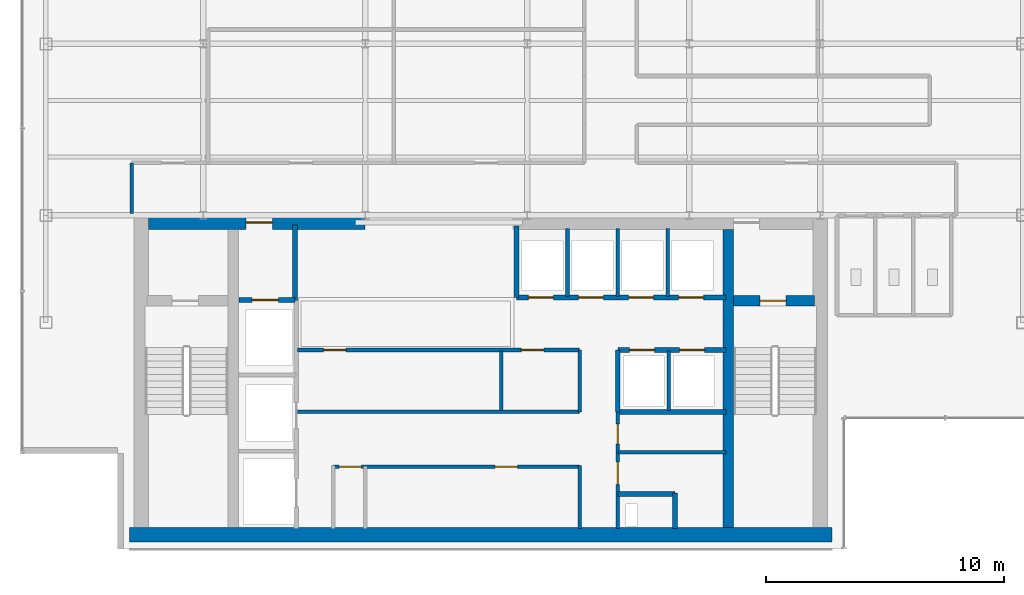
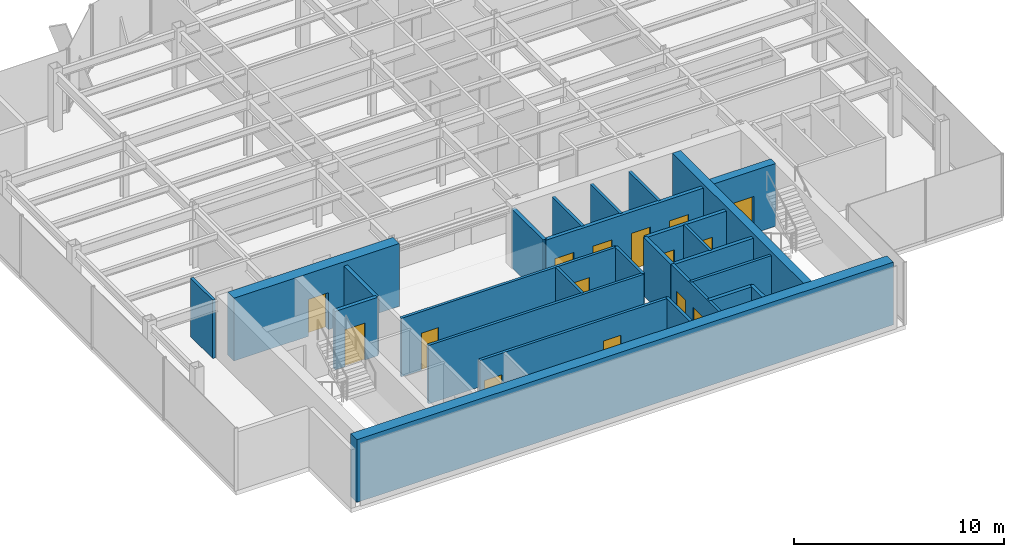
# One storey, part 17 of 22: 26 walls, 15 doors, 15 openings.
"""IFC4 building model written with IfcOpenShell, lengths in metres."""

from ifc_helpers import new_model, si_unit, derived_unit, direction, frame, frame_2d, origin, place, context, subcontext, project, spatial, rectangle, extrude, source, transform, mapped, material, layer, layer_set, type_object, element, fill, save


model = new_model("IFC4")

# Units and contexts
model_context = context("Model", 3, precision=1e-05, world=origin(), true_north=direction((0.0, 1.0)))
body_context = subcontext(model_context, "Body", "Model", "MODEL_VIEW")
ifc_project = project(units=[si_unit("LENGTHUNIT", "METRE"), si_unit("AREAUNIT", "SQUARE_METRE"), si_unit("VOLUMEUNIT", "CUBIC_METRE"), si_unit("PLANEANGLEUNIT", "RADIAN"), si_unit("MASSUNIT", "GRAM", prefix="KILO"), derived_unit("THERMALTRANSMITTANCEUNIT", [(si_unit("POWERUNIT", "WATT"), 1), (si_unit("LENGTHUNIT", "METRE"), -2), (si_unit("THERMODYNAMICTEMPERATUREUNIT", "KELVIN"), -1)])], contexts=[model_context])

# Site, building, storey
site_placement = place(None, origin())
site = spatial("IfcSite", under=ifc_project, at=site_placement, CompositionType="ELEMENT")
building_placement = place(site_placement, origin())
building = spatial("IfcBuilding", under=site, at=building_placement, Name="Skarnbrae Concourse Arena and Tower", CompositionType="ELEMENT")
storey_placement = place(building_placement, frame((0.0, 0.0, 195.89990234375)))
storey = spatial("IfcBuildingStorey", under=building, at=storey_placement, Name="L50", CompositionType="ELEMENT", Elevation=195.89990234375)

# Wall, opening, door
ifc_material_1 = material(Name="Concrete 50 MPa (C50/60)", Category="concrete")
ifc_layer_1 = layer(ifc_material_1, 0.449951171875)
ifc_layer_set_1 = layer_set([ifc_layer_1], Name="Concrete 50 MPa (C50/60)")
wall_type_1 = type_object("IfcWallType", Name="WALL-CORE-450-C50", PredefinedType="SHEAR", material=ifc_layer_set_1)
shared_shape_1 = source(origin(), body_context, "Body", "SweptSolid", [
    extrude(rectangle(XDim=3.389892578125, YDim=0.449951171875, at=frame_2d((1.69482421875, 0.0))), origin(), (0.0, 0.0, 1.0), 3.650146484375),
])
wall_1_placement = place(storey_placement, frame((29.860107421875, 10.419921875, 0.0), z_axis=(0.0, 0.0, 1.0), x_axis=(1.0, 0.0, 0.0)))
wall_1 = element("IfcWall", 1, at=wall_1_placement, inside=storey, type_object=wall_type_1, Name="L50 Rear core shear wall CW-ST2-N", PredefinedType="SHEAR", context=body_context, shape_type="MappedRepresentation", body=[
    mapped(shared_shape_1, transform((0.0, 0.0, 0.0))),
])
opening_1_placement = place(wall_1_placement, frame((1.10009765625, 0.0, 0.0)))
opening_1 = element("IfcOpeningElement", 2, at=opening_1_placement, cuts=wall_1, Name="Opening DT-03", PredefinedType="OPENING", context=body_context, shape_type="SweptSolid", body=[
    extrude(rectangle(XDim=1.10009765625, YDim=2.14990234375, at=frame_2d((0.550048828125, 1.074951171875))), frame((0.0, 0.23486328125, 0.0), z_axis=(0.0, -1.0, 0.0), x_axis=(1.0, 0.0, 0.0)), (0.0, 0.0, 1.0), 0.469970703125),
])
ifc_material_2 = material(Name="Steel CSA G40.21 350W", Category="steel")
door_type_1 = type_object("IfcDoorType", Name="DOOR-FIRE-1100-90M", OperationType="NOTDEFINED", PredefinedType="DOOR", material=ifc_material_2)
shared_shape_2 = source(origin(), body_context, "Body", "SweptSolid", [
    extrude(rectangle(XDim=1.10009765625, YDim=2.14990234375, at=frame_2d((0.550048828125, 1.074951171875))), frame((0.0, 0.02490234375, 0.0), z_axis=(0.0, -1.0, 0.0), x_axis=(1.0, 0.0, 0.0)), (0.0, 0.0, 1.0), 0.050048828125),
])
door_1_placement = place(opening_1_placement, frame((1.10009765625, 0.0, 0.0), z_axis=(0.0, 0.0, 1.0), x_axis=(-1.0, 0.0, 0.0)))
door_1 = element("IfcDoor", 3, at=door_1_placement, inside=storey, type_object=door_type_1, Name="D-1526 Stair ST-2 Door", OperationType="SINGLE_SWING_RIGHT", OverallHeight=2.14990234375, OverallWidth=1.10009765625, PredefinedType="DOOR", context=body_context, shape_type="MappedRepresentation", body=[
    mapped(shared_shape_2, transform((0.0, 0.0, 0.0))),
])
fill(opening_1, door_1)

# Wall
ifc_layer_2 = layer(ifc_material_1, 0.60009765625)
ifc_layer_set_2 = layer_set([ifc_layer_2], Name="Concrete 50 MPa (C50/60)")
wall_type_2 = type_object("IfcWallType", Name="WALL-CORE-600-C50", PredefinedType="SHEAR", material=ifc_layer_set_2)
shared_shape_3 = source(origin(), body_context, "Body", "SweptSolid", [
    extrude(rectangle(XDim=29.5, YDim=0.60009765625, at=frame_2d((14.75, 0.0))), origin(), (0.0, 0.0, 1.0), 3.650146484375),
])
wall_2_placement = place(storey_placement, frame((4.5, 0.60009765625, 0.0), z_axis=(0.0, 0.0, 1.0), x_axis=(1.0, 0.0, 0.0)))
element("IfcWall", 4, at=wall_2_placement, inside=storey, type_object=wall_type_2, Name="L50 Rear core shear wall CW-S", PredefinedType="SHEAR", context=body_context, shape_type="MappedRepresentation", body=[
    mapped(shared_shape_3, transform((0.0, 0.0, 0.0))),
])

# Wall, opening, door
shared_shape_4 = source(origin(), body_context, "Body", "SweptSolid", [
    extrude(rectangle(XDim=9.099853515625, YDim=0.60009765625, at=frame_2d((4.5498046875, 0.0))), origin(), (0.0, 0.0, 1.0), 3.650146484375),
])
wall_3_placement = place(storey_placement, frame((5.300048828125, 13.699951171875, 0.0), z_axis=(0.0, 0.0, 1.0), x_axis=(1.0, 0.0, 0.0)))
wall_3 = element("IfcWall", 5, at=wall_3_placement, inside=storey, type_object=wall_type_2, Name="L50 Rear core shear wall CW-NW", PredefinedType="SHEAR", context=body_context, shape_type="MappedRepresentation", body=[
    mapped(shared_shape_4, transform((0.0, 0.0, 0.0))),
])
opening_2_placement = place(wall_3_placement, frame((4.10009765625, 0.0, 0.0)))
opening_2 = element("IfcOpeningElement", 6, at=opening_2_placement, cuts=wall_3, Name="Opening DT-03", PredefinedType="OPENING", context=body_context, shape_type="SweptSolid", body=[
    extrude(rectangle(XDim=1.10009765625, YDim=2.14990234375, at=frame_2d((0.550048828125, 1.074951171875))), frame((0.0, 0.31005859375, 0.0), z_axis=(0.0, -1.0, 0.0), x_axis=(1.0, 0.0, 0.0)), (0.0, 0.0, 1.0), 0.6201171875),
])
door_2_placement = place(opening_2_placement, origin())
door_2 = element("IfcDoor", 7, at=door_2_placement, inside=storey, type_object=door_type_1, Name="D-1527 Firefighting Lobby Exit Door", OperationType="SINGLE_SWING_RIGHT", OverallHeight=2.14990234375, OverallWidth=1.10009765625, PredefinedType="DOOR", context=body_context, shape_type="MappedRepresentation", body=[
    mapped(shared_shape_2, transform((0.0, 0.0, 0.0))),
])
fill(opening_2, door_2)

# Walls
shared_shape_5 = source(origin(), body_context, "Body", "SweptSolid", [
    extrude(rectangle(XDim=12.5, YDim=0.449951171875, at=frame_2d((6.25, 0.0))), origin(), (0.0, 0.0, 1.0), 3.650146484375),
])
wall_4_placement = place(storey_placement, frame((29.635009765625, 0.89990234375, 0.0), z_axis=(0.0, 0.0, 1.0), x_axis=(0.0, 1.0, 0.0)))
element("IfcWall", 8, at=wall_4_placement, inside=storey, type_object=wall_type_1, Name="L50 Rear core shear wall CW-WEB-E", PredefinedType="SHEAR", context=body_context, shape_type="MappedRepresentation", body=[
    mapped(shared_shape_5, transform((0.0, 0.0, 0.0))),
])
ifc_material_3 = material(Name="Gypsum board on cold-formed steel studs", Category="steel")
ifc_layer_3 = layer(ifc_material_3, 0.199951171875)
ifc_layer_set_3 = layer_set([ifc_layer_3], Name="Gypsum board on cold-formed steel studs")
wall_type_3 = type_object("IfcWallType", Name="WALL-PART-200-2HR", PredefinedType="PARTITIONING", material=ifc_layer_set_3)
shared_shape_6 = source(origin(), body_context, "Body", "SweptSolid", [
    extrude(rectangle(XDim=3.18017578125, YDim=0.199951171875, at=frame_2d((1.590087890625, 0.0))), origin(), (0.0, 0.0, 1.0), 3.400146484375),
])
wall_5_placement = place(storey_placement, frame((11.449951171875, 10.419921875, 0.0), z_axis=(0.0, 0.0, 1.0), x_axis=(0.0, 1.0, 0.0)))
element("IfcWall", 9, at=wall_5_placement, inside=storey, type_object=wall_type_3, Name="L50 Interior partition wall W-L50-FFL-E", PredefinedType="PARTITIONING", context=body_context, shape_type="MappedRepresentation", body=[
    mapped(shared_shape_6, transform((0.0, 0.0, 0.0))),
])

# Wall, opening, door
shared_shape_7 = source(origin(), body_context, "Body", "SweptSolid", [
    extrude(rectangle(XDim=2.349853515625, YDim=0.199951171875, at=frame_2d((1.1748046875, 0.0))), origin(), (0.0, 0.0, 1.0), 3.400146484375),
])
wall_6_placement = place(storey_placement, frame((9.10009765625, 10.449951171875, 0.0), z_axis=(0.0, 0.0, 1.0), x_axis=(1.0, 0.0, 0.0)))
wall_6 = element("IfcWall", 10, at=wall_6_placement, inside=storey, type_object=wall_type_3, Name="L50 Interior partition wall W-L50-FL1-N", PredefinedType="PARTITIONING", context=body_context, shape_type="MappedRepresentation", body=[
    mapped(shared_shape_7, transform((0.0, 0.0, 0.0))),
])
opening_3_placement = place(wall_6_placement, frame((0.550048828125, 0.0, 0.0)))
opening_3 = element("IfcOpeningElement", 11, at=opening_3_placement, cuts=wall_6, Name="Opening LD-01", PredefinedType="OPENING", context=body_context, shape_type="SweptSolid", body=[
    extrude(rectangle(XDim=1.10009765625, YDim=2.14990234375, at=frame_2d((0.550048828125, 1.074951171875))), frame((0.0, 0.10986328125, 0.0), z_axis=(0.0, -1.0, 0.0), x_axis=(1.0, 0.0, 0.0)), (0.0, 0.0, 1.0), 0.219970703125),
])
door_type_2 = type_object("IfcDoorType", Name="DOOR-LIFT-SLIDE-1100", OperationType="SLIDING_TO_LEFT", PredefinedType="DOOR", material=ifc_material_2)
door_3_placement = place(opening_3_placement, origin())
door_3 = element("IfcDoor", 12, at=door_3_placement, inside=storey, type_object=door_type_2, Name="D-1529 Firefighting Lift Landing Door FL-01", OperationType="SLIDING_TO_LEFT", OverallHeight=2.14990234375, OverallWidth=1.10009765625, PredefinedType="DOOR", context=body_context, shape_type="MappedRepresentation", body=[
    mapped(shared_shape_2, transform((0.0, 0.0, 0.0))),
])
fill(opening_3, door_3)

# Walls
shared_shape_8 = source(origin(), body_context, "Body", "SweptSolid", [
    extrude(rectangle(XDim=2.60009765625, YDim=0.199951171875, at=frame_2d((1.300048828125, 0.0))), origin(), (0.0, 0.0, 1.0), 3.400146484375),
])
wall_7_placement = place(storey_placement, frame((25.0, 5.75, 0.0), z_axis=(0.0, 0.0, 1.0), x_axis=(0.0, 1.0, 0.0)))
element("IfcWall", 13, at=wall_7_placement, inside=storey, type_object=wall_type_3, Name="L50 Interior partition wall W-L50-B3S-W", PredefinedType="PARTITIONING", context=body_context, shape_type="MappedRepresentation", body=[
    mapped(shared_shape_8, transform((0.0, 0.0, 0.0))),
])
ifc_layer_4 = layer(ifc_material_3, 0.14990234375)
ifc_layer_set_4 = layer_set([ifc_layer_4], Name="Gypsum board on cold-formed steel studs")
wall_type_4 = type_object("IfcWallType", Name="WALL-PART-150", PredefinedType="PARTITIONING", material=ifc_layer_set_4)
shared_shape_9 = source(origin(), body_context, "Body", "SweptSolid", [
    extrude(rectangle(XDim=2.5, YDim=0.14990234375, at=frame_2d((1.25, 0.0))), origin(), (0.0, 0.0, 1.0), 3.400146484375),
])
for number, where, z_axis, x_axis, name in (
    (14, (20.10009765625, 5.800048828125, 0.0), (0.0, 0.0, 1.0), (0.0, 1.0, 0.0), "L50 Interior partition wall W-L50-B2M-MID"),
    (15, (27.139892578125, 5.800048828125, 0.0), (0.0, 0.0, 1.0), (0.0, 1.0, 0.0), "L50 Interior partition wall W-L50-B3S-P1"),
):
    element("IfcWall", number, at=place(storey_placement, frame(where, z_axis=z_axis, x_axis=x_axis)), inside=storey, type_object=wall_type_4, Name=name, PredefinedType="PARTITIONING", context=body_context, shape_type="MappedRepresentation", body=[
        mapped(shared_shape_9, transform((0.0, 0.0, 0.0))),
    ])

# Wall, openings, doors
shared_shape_10 = source(origin(), body_context, "Body", "SweptSolid", [
    extrude(rectangle(XDim=8.800048828125, YDim=0.199951171875, at=frame_2d((4.39990234375, 0.0))), origin(), (0.0, 0.0, 1.0), 3.400146484375),
])
wall_8_placement = place(storey_placement, frame((20.75, 10.550048828125, 0.0), z_axis=(0.0, 0.0, 1.0), x_axis=(1.0, 0.0, 0.0)))
wall_8 = element("IfcWall", 16, at=wall_8_placement, inside=storey, type_object=wall_type_3, Name="L50 Interior partition wall W-L50-B3N-S", PredefinedType="PARTITIONING", context=body_context, shape_type="MappedRepresentation", body=[
    mapped(shared_shape_10, transform((0.0, 0.0, 0.0))),
])
opening_4_placement = place(wall_8_placement, frame((0.5, 0.0, 0.0)))
opening_4 = element("IfcOpeningElement", 17, at=opening_4_placement, cuts=wall_8, Name="Opening LD-04", PredefinedType="OPENING", context=body_context, shape_type="SweptSolid", body=[
    extrude(rectangle(XDim=1.050048828125, YDim=2.14990234375, at=frame_2d((0.52490234375, 1.074951171875))), frame((0.0, 0.10986328125, 0.0), z_axis=(0.0, -1.0, 0.0), x_axis=(1.0, 0.0, 0.0)), (0.0, 0.0, 1.0), 0.219970703125),
])
opening_5_placement = place(wall_8_placement, frame((2.60009765625, 0.0, 0.0)))
opening_5 = element("IfcOpeningElement", 18, at=opening_5_placement, cuts=wall_8, Name="Opening LD-04", PredefinedType="OPENING", context=body_context, shape_type="SweptSolid", body=[
    extrude(rectangle(XDim=1.050048828125, YDim=2.14990234375, at=frame_2d((0.52490234375, 1.074951171875))), frame((0.0, 0.10986328125, 0.0), z_axis=(0.0, -1.0, 0.0), x_axis=(1.0, 0.0, 0.0)), (0.0, 0.0, 1.0), 0.219970703125),
])
opening_6_placement = place(wall_8_placement, frame((4.699951171875, 0.0, 0.0)))
opening_6 = element("IfcOpeningElement", 19, at=opening_6_placement, cuts=wall_8, Name="Opening LD-04", PredefinedType="OPENING", context=body_context, shape_type="SweptSolid", body=[
    extrude(rectangle(XDim=1.050048828125, YDim=2.14990234375, at=frame_2d((0.52490234375, 1.074951171875))), frame((0.0, 0.10986328125, 0.0), z_axis=(0.0, -1.0, 0.0), x_axis=(1.0, 0.0, 0.0)), (0.0, 0.0, 1.0), 0.219970703125),
])
opening_7_placement = place(wall_8_placement, frame((6.800048828125, 0.0, 0.0)))
opening_7 = element("IfcOpeningElement", 20, at=opening_7_placement, cuts=wall_8, Name="Opening LD-04", PredefinedType="OPENING", context=body_context, shape_type="SweptSolid", body=[
    extrude(rectangle(XDim=1.050048828125, YDim=2.14990234375, at=frame_2d((0.52490234375, 1.074951171875))), frame((0.0, 0.10986328125, 0.0), z_axis=(0.0, -1.0, 0.0), x_axis=(1.0, 0.0, 0.0)), (0.0, 0.0, 1.0), 0.219970703125),
])
ifc_material_4 = material(Name="Bronze anodised aluminium 6063-T6", Category="aluminium")
door_type_3 = type_object("IfcDoorType", Name="DOOR-LIFT-SLIDE-1050H", OperationType="SLIDING_TO_LEFT", PredefinedType="DOOR", material=ifc_material_4)
shared_shape_11 = source(origin(), body_context, "Body", "SweptSolid", [
    extrude(rectangle(XDim=1.050048828125, YDim=2.14990234375, at=frame_2d((0.52490234375, 1.074951171875))), frame((0.0, 0.02490234375, 0.0), z_axis=(0.0, -1.0, 0.0), x_axis=(1.0, 0.0, 0.0)), (0.0, 0.0, 1.0), 0.050048828125),
])
door_4_placement = place(opening_4_placement, frame((1.050048828125, 0.0, 0.0), z_axis=(0.0, 0.0, 1.0), x_axis=(-1.0, 0.0, 0.0)))
door_4 = element("IfcDoor", 21, at=door_4_placement, inside=storey, type_object=door_type_3, Name="D-1536 Passenger Lift Landing Door PL-3A", OperationType="SLIDING_TO_LEFT", OverallHeight=2.14990234375, OverallWidth=1.050048828125, PredefinedType="DOOR", context=body_context, shape_type="MappedRepresentation", body=[
    mapped(shared_shape_11, transform((0.0, 0.0, 0.0))),
])
fill(opening_4, door_4)
door_5_placement = place(opening_5_placement, frame((1.050048828125, 0.0, 0.0), z_axis=(0.0, 0.0, 1.0), x_axis=(-1.0, 0.0, 0.0)))
door_5 = element("IfcDoor", 22, at=door_5_placement, inside=storey, type_object=door_type_3, Name="D-1537 Passenger Lift Landing Door PL-3B", OperationType="SLIDING_TO_LEFT", OverallHeight=2.14990234375, OverallWidth=1.050048828125, PredefinedType="DOOR", context=body_context, shape_type="MappedRepresentation", body=[
    mapped(shared_shape_11, transform((0.0, 0.0, 0.0))),
])
fill(opening_5, door_5)
door_6_placement = place(opening_6_placement, frame((1.050048828125, 0.0, 0.0), z_axis=(0.0, 0.0, 1.0), x_axis=(-1.0, 0.0, 0.0)))
door_6 = element("IfcDoor", 23, at=door_6_placement, inside=storey, type_object=door_type_3, Name="D-1538 Passenger Lift Landing Door PL-3C", OperationType="SLIDING_TO_LEFT", OverallHeight=2.14990234375, OverallWidth=1.050048828125, PredefinedType="DOOR", context=body_context, shape_type="MappedRepresentation", body=[
    mapped(shared_shape_11, transform((0.0, 0.0, 0.0))),
])
fill(opening_6, door_6)
door_7_placement = place(opening_7_placement, frame((1.050048828125, 0.0, 0.0), z_axis=(0.0, 0.0, 1.0), x_axis=(-1.0, 0.0, 0.0)))
door_7 = element("IfcDoor", 24, at=door_7_placement, inside=storey, type_object=door_type_3, Name="D-1539 Passenger Lift Landing Door PL-3D", OperationType="SLIDING_TO_LEFT", OverallHeight=2.14990234375, OverallWidth=1.050048828125, PredefinedType="DOOR", context=body_context, shape_type="MappedRepresentation", body=[
    mapped(shared_shape_11, transform((0.0, 0.0, 0.0))),
])
fill(opening_7, door_7)

# Walls
shared_shape_12 = source(origin(), body_context, "Body", "SweptSolid", [
    extrude(rectangle(XDim=3.0, YDim=0.199951171875, at=frame_2d((1.5, 0.0))), origin(), (0.0, 0.0, 1.0), 3.400146484375),
])
wall_9_placement = place(storey_placement, frame((20.75, 10.550048828125, 0.0), z_axis=(0.0, 0.0, 1.0), x_axis=(0.0, 1.0, 0.0)))
element("IfcWall", 25, at=wall_9_placement, inside=storey, type_object=wall_type_3, Name="L50 Interior partition wall W-L50-B3N-W", PredefinedType="PARTITIONING", context=body_context, shape_type="MappedRepresentation", body=[
    mapped(shared_shape_12, transform((0.0, 0.0, 0.0))),
])
shared_shape_13 = source(origin(), body_context, "Body", "SweptSolid", [
    extrude(rectangle(XDim=2.849853515625, YDim=0.14990234375, at=frame_2d((1.4248046875, 0.0))), origin(), (0.0, 0.0, 1.0), 3.400146484375),
])
for number, where, z_axis, x_axis, name in (
    (26, (22.889892578125, 10.60009765625, 0.0), (0.0, 0.0, 1.0), (0.0, 1.0, 0.0), "L50 Interior partition wall W-L50-B3N-P1"),
    (27, (24.989990234375, 10.60009765625, 0.0), (0.0, 0.0, 1.0), (0.0, 1.0, 0.0), "L50 Interior partition wall W-L50-B3N-P2"),
    (28, (27.090087890625, 10.60009765625, 0.0), (0.0, 0.0, 1.0), (0.0, 1.0, 0.0), "L50 Interior partition wall W-L50-B3N-P3"),
):
    element("IfcWall", number, at=place(storey_placement, frame(where, z_axis=z_axis, x_axis=x_axis)), inside=storey, type_object=wall_type_4, Name=name, PredefinedType="PARTITIONING", context=body_context, shape_type="MappedRepresentation", body=[
        mapped(shared_shape_13, transform((0.0, 0.0, 0.0))),
    ])

# Wall, openings, doors
shared_shape_14 = source(origin(), body_context, "Body", "SweptSolid", [
    extrude(rectangle(XDim=4.550048828125, YDim=0.199951171875, at=frame_2d((2.27490234375, 0.0))), origin(), (0.0, 0.0, 1.0), 3.400146484375),
])
wall_10_placement = place(storey_placement, frame((25.0, 8.35009765625, 0.0), z_axis=(0.0, 0.0, 1.0), x_axis=(1.0, 0.0, 0.0)))
wall_10 = element("IfcWall", 29, at=wall_10_placement, inside=storey, type_object=wall_type_3, Name="L50 Interior partition wall W-L50-B3S-N", PredefinedType="PARTITIONING", context=body_context, shape_type="MappedRepresentation", body=[
    mapped(shared_shape_14, transform((0.0, 0.0, 0.0))),
])
opening_8_placement = place(wall_10_placement, frame((0.5, 0.0, 0.0)))
opening_8 = element("IfcOpeningElement", 30, at=opening_8_placement, cuts=wall_10, Name="Opening LD-04", PredefinedType="OPENING", context=body_context, shape_type="SweptSolid", body=[
    extrude(rectangle(XDim=1.050048828125, YDim=2.14990234375, at=frame_2d((0.52490234375, 1.074951171875))), frame((0.0, 0.10986328125, 0.0), z_axis=(0.0, -1.0, 0.0), x_axis=(1.0, 0.0, 0.0)), (0.0, 0.0, 1.0), 0.219970703125),
])
opening_9_placement = place(wall_10_placement, frame((2.60009765625, 0.0, 0.0)))
opening_9 = element("IfcOpeningElement", 31, at=opening_9_placement, cuts=wall_10, Name="Opening LD-04", PredefinedType="OPENING", context=body_context, shape_type="SweptSolid", body=[
    extrude(rectangle(XDim=1.050048828125, YDim=2.14990234375, at=frame_2d((0.52490234375, 1.074951171875))), frame((0.0, 0.10986328125, 0.0), z_axis=(0.0, -1.0, 0.0), x_axis=(1.0, 0.0, 0.0)), (0.0, 0.0, 1.0), 0.219970703125),
])
door_8_placement = place(opening_8_placement, origin())
door_8 = element("IfcDoor", 32, at=door_8_placement, inside=storey, type_object=door_type_3, Name="D-1540 Passenger Lift Landing Door PL-3E", OperationType="SLIDING_TO_LEFT", OverallHeight=2.14990234375, OverallWidth=1.050048828125, PredefinedType="DOOR", context=body_context, shape_type="MappedRepresentation", body=[
    mapped(shared_shape_11, transform((0.0, 0.0, 0.0))),
])
fill(opening_8, door_8)
door_9_placement = place(opening_9_placement, origin())
door_9 = element("IfcDoor", 33, at=door_9_placement, inside=storey, type_object=door_type_3, Name="D-1541 Passenger Lift Landing Door PL-3F", OperationType="SLIDING_TO_LEFT", OverallHeight=2.14990234375, OverallWidth=1.050048828125, PredefinedType="DOOR", context=body_context, shape_type="MappedRepresentation", body=[
    mapped(shared_shape_11, transform((0.0, 0.0, 0.0))),
])
fill(opening_9, door_9)

# Wall
wall_11_placement = place(storey_placement, frame((25.0, 5.75, 0.0), z_axis=(0.0, 0.0, 1.0), x_axis=(1.0, 0.0, 0.0)))
element("IfcWall", 34, at=wall_11_placement, inside=storey, type_object=wall_type_3, Name="L50 Interior partition wall W-L50-B3S-S", PredefinedType="PARTITIONING", context=body_context, shape_type="MappedRepresentation", body=[
    mapped(shared_shape_14, transform((0.0, 0.0, 0.0))),
])

# Wall, openings, doors
ifc_layer_5 = layer(ifc_material_3, 0.14990234375)
ifc_layer_set_5 = layer_set([ifc_layer_5], Name="Gypsum board on cold-formed steel studs")
wall_type_5 = type_object("IfcWallType", Name="WALL-PART-150-1HR", PredefinedType="PARTITIONING", material=ifc_layer_set_5)
shared_shape_15 = source(origin(), body_context, "Body", "SweptSolid", [
    extrude(rectangle(XDim=4.89990234375, YDim=0.14990234375, at=frame_2d((2.449951171875, 0.0))), origin(), (0.0, 0.0, 1.0), 3.400146484375),
])
wall_12_placement = place(storey_placement, frame((25.0, 0.85009765625, 0.0), z_axis=(0.0, 0.0, 1.0), x_axis=(0.0, 1.0, 0.0)))
wall_12 = element("IfcWall", 35, at=wall_12_placement, inside=storey, type_object=wall_type_5, Name="L50 Interior partition wall W-L50-CSV-W", PredefinedType="PARTITIONING", context=body_context, shape_type="MappedRepresentation", body=[
    mapped(shared_shape_15, transform((0.0, 0.0, 0.0))),
])
opening_10_placement = place(wall_12_placement, frame((1.85009765625, 0.0, 0.0)))
opening_10 = element("IfcOpeningElement", 36, at=opening_10_placement, cuts=wall_12, Name="Opening DT-04", PredefinedType="OPENING", context=body_context, shape_type="SweptSolid", body=[
    extrude(rectangle(XDim=0.949951171875, YDim=2.14990234375, at=frame_2d((0.47509765625, 1.074951171875))), frame((0.0, 0.0849609375, 0.0), z_axis=(0.0, -1.0, 0.0), x_axis=(1.0, 0.0, 0.0)), (0.0, 0.0, 1.0), 0.169921875),
])
opening_11_placement = place(wall_12_placement, frame((3.550048828125, 0.0, 0.0)))
opening_11 = element("IfcOpeningElement", 37, at=opening_11_placement, cuts=wall_12, Name="Opening DT-08", PredefinedType="OPENING", context=body_context, shape_type="SweptSolid", body=[
    extrude(rectangle(XDim=0.85009765625, YDim=2.14990234375, at=frame_2d((0.425048828125, 1.074951171875))), frame((0.0, 0.0849609375, 0.0), z_axis=(0.0, -1.0, 0.0), x_axis=(1.0, 0.0, 0.0)), (0.0, 0.0, 1.0), 0.169921875),
])
door_type_4 = type_object("IfcDoorType", Name="DOOR-INT-950-45M", OperationType="NOTDEFINED", PredefinedType="DOOR", material=ifc_material_2)
shared_shape_16 = source(origin(), body_context, "Body", "SweptSolid", [
    extrude(rectangle(XDim=0.949951171875, YDim=2.14990234375, at=frame_2d((0.47509765625, 1.074951171875))), frame((0.0, 0.02490234375, 0.0), z_axis=(0.0, -1.0, 0.0), x_axis=(1.0, 0.0, 0.0)), (0.0, 0.0, 1.0), 0.050048828125),
])
door_10_placement = place(opening_10_placement, origin())
door_10 = element("IfcDoor", 38, at=door_10_placement, inside=storey, type_object=door_type_4, Name="D-1542 Core Staff WC Door", OperationType="SINGLE_SWING_RIGHT", OverallHeight=2.14990234375, OverallWidth=0.949951171875, PredefinedType="DOOR", context=body_context, shape_type="MappedRepresentation", body=[
    mapped(shared_shape_16, transform((0.0, 0.0, 0.0))),
])
fill(opening_10, door_10)
door_type_5 = type_object("IfcDoorType", Name="DOOR-INT-850-45M", OperationType="NOTDEFINED", PredefinedType="DOOR", material=ifc_material_2)
shared_shape_17 = source(origin(), body_context, "Body", "SweptSolid", [
    extrude(rectangle(XDim=0.85009765625, YDim=2.14990234375, at=frame_2d((0.425048828125, 1.074951171875))), frame((0.0, 0.02490234375, 0.0), z_axis=(0.0, -1.0, 0.0), x_axis=(1.0, 0.0, 0.0)), (0.0, 0.0, 1.0), 0.050048828125),
])
door_11_placement = place(opening_11_placement, origin())
door_11 = element("IfcDoor", 39, at=door_11_placement, inside=storey, type_object=door_type_5, Name="D-1543 IT Patch Room Door", OperationType="SINGLE_SWING_LEFT", OverallHeight=2.14990234375, OverallWidth=0.85009765625, PredefinedType="DOOR", context=body_context, shape_type="MappedRepresentation", body=[
    mapped(shared_shape_17, transform((0.0, 0.0, 0.0))),
])
fill(opening_11, door_11)

# Walls
shared_shape_18 = source(origin(), body_context, "Body", "SweptSolid", [
    extrude(rectangle(XDim=2.39990234375, YDim=0.199951171875, at=frame_2d((1.199951171875, 0.0))), origin(), (0.0, 0.0, 1.0), 3.400146484375),
])
wall_13_placement = place(storey_placement, frame((25.0, 2.300048828125, 0.0), z_axis=(0.0, 0.0, 1.0), x_axis=(1.0, 0.0, 0.0)))
element("IfcWall", 40, at=wall_13_placement, inside=storey, type_object=wall_type_3, Name="L50 Interior partition wall W-L50-MEP-N", PredefinedType="PARTITIONING", context=body_context, shape_type="MappedRepresentation", body=[
    mapped(shared_shape_18, transform((0.0, 0.0, 0.0))),
])
shared_shape_19 = source(origin(), body_context, "Body", "SweptSolid", [
    extrude(rectangle(XDim=1.5, YDim=0.199951171875, at=frame_2d((0.75, 0.0))), origin(), (0.0, 0.0, 1.0), 3.400146484375),
])
wall_14_placement = place(storey_placement, frame((27.39990234375, 0.85009765625, 0.0), z_axis=(0.0, 0.0, 1.0), x_axis=(0.0, 1.0, 0.0)))
element("IfcWall", 41, at=wall_14_placement, inside=storey, type_object=wall_type_3, Name="L50 Interior partition wall W-L50-MEP-E", PredefinedType="PARTITIONING", context=body_context, shape_type="MappedRepresentation", body=[
    mapped(shared_shape_19, transform((0.0, 0.0, 0.0))),
])
shared_shape_20 = source(origin(), body_context, "Body", "SweptSolid", [
    extrude(rectangle(XDim=4.550048828125, YDim=0.14990234375, at=frame_2d((2.27490234375, 0.0))), origin(), (0.0, 0.0, 1.0), 3.400146484375),
])
wall_15_placement = place(storey_placement, frame((25.0, 4.050048828125, 0.0), z_axis=(0.0, 0.0, 1.0), x_axis=(1.0, 0.0, 0.0)))
element("IfcWall", 42, at=wall_15_placement, inside=storey, type_object=wall_type_4, Name="L50 Interior partition wall W-L50-CSV-H2", PredefinedType="PARTITIONING", context=body_context, shape_type="MappedRepresentation", body=[
    mapped(shared_shape_20, transform((0.0, 0.0, 0.0))),
])
shared_shape_21 = source(origin(), body_context, "Body", "SweptSolid", [
    extrude(rectangle(XDim=2.64990234375, YDim=0.14990234375, at=frame_2d((1.324951171875, 0.0))), origin(), (0.0, 0.0, 1.0), 3.400146484375),
])
wall_16_placement = place(storey_placement, frame((23.39990234375, 0.85009765625, 0.0), z_axis=(0.0, 0.0, 1.0), x_axis=(0.0, 1.0, 0.0)))
element("IfcWall", 43, at=wall_16_placement, inside=storey, type_object=wall_type_5, Name="L50 Interior partition wall W-L50-B1M-E", PredefinedType="PARTITIONING", context=body_context, shape_type="MappedRepresentation", body=[
    mapped(shared_shape_21, transform((0.0, 0.0, 0.0))),
])

# Wall, openings, doors
shared_shape_22 = source(origin(), body_context, "Body", "SweptSolid", [
    extrude(rectangle(XDim=10.349853515625, YDim=0.14990234375, at=frame_2d((5.1748046875, 0.0))), origin(), (0.0, 0.0, 1.0), 3.400146484375),
])
wall_17_placement = place(storey_placement, frame((13.050048828125, 3.449951171875, 0.0), z_axis=(0.0, 0.0, 1.0), x_axis=(1.0, 0.0, 0.0)))
wall_17 = element("IfcWall", 44, at=wall_17_placement, inside=storey, type_object=wall_type_5, Name="L50 Interior partition wall W-L50-B1M-N", PredefinedType="PARTITIONING", context=body_context, shape_type="MappedRepresentation", body=[
    mapped(shared_shape_22, transform((0.0, 0.0, 0.0))),
])
opening_12_placement = place(wall_17_placement, frame((0.25, 0.0, 0.0)))
opening_12 = element("IfcOpeningElement", 45, at=opening_12_placement, cuts=wall_17, Name="Opening DT-04", PredefinedType="OPENING", context=body_context, shape_type="SweptSolid", body=[
    extrude(rectangle(XDim=0.949951171875, YDim=2.14990234375, at=frame_2d((0.47509765625, 1.074951171875))), frame((0.0, 0.0849609375, 0.0), z_axis=(0.0, -1.0, 0.0), x_axis=(1.0, 0.0, 0.0)), (0.0, 0.0, 1.0), 0.169921875),
])
opening_13_placement = place(wall_17_placement, frame((6.800048828125, 0.0, 0.0)))
opening_13 = element("IfcOpeningElement", 46, at=opening_13_placement, cuts=wall_17, Name="Opening DT-04", PredefinedType="OPENING", context=body_context, shape_type="SweptSolid", body=[
    extrude(rectangle(XDim=0.949951171875, YDim=2.14990234375, at=frame_2d((0.47509765625, 1.074951171875))), frame((0.0, 0.0849609375, 0.0), z_axis=(0.0, -1.0, 0.0), x_axis=(1.0, 0.0, 0.0)), (0.0, 0.0, 1.0), 0.169921875),
])
door_12_placement = place(opening_12_placement, origin())
door_12 = element("IfcDoor", 47, at=door_12_placement, inside=storey, type_object=door_type_4, Name="D-1532 First Aid Room Door", OperationType="SINGLE_SWING_LEFT", OverallHeight=2.14990234375, OverallWidth=0.949951171875, PredefinedType="DOOR", context=body_context, shape_type="MappedRepresentation", body=[
    mapped(shared_shape_16, transform((0.0, 0.0, 0.0))),
])
fill(opening_12, door_12)
door_13_placement = place(opening_13_placement, origin())
door_13 = element("IfcDoor", 48, at=door_13_placement, inside=storey, type_object=door_type_4, Name="D-1533 Archive Room Door", OperationType="SINGLE_SWING_RIGHT", OverallHeight=2.14990234375, OverallWidth=0.949951171875, PredefinedType="DOOR", context=body_context, shape_type="MappedRepresentation", body=[
    mapped(shared_shape_16, transform((0.0, 0.0, 0.0))),
])
fill(opening_13, door_13)

# Wall
shared_shape_23 = source(origin(), body_context, "Body", "SweptSolid", [
    extrude(rectangle(XDim=11.849853515625, YDim=0.14990234375, at=frame_2d((5.9248046875, 0.0))), origin(), (0.0, 0.0, 1.0), 3.400146484375),
])
wall_18_placement = place(storey_placement, frame((11.550048828125, 5.75, 0.0), z_axis=(0.0, 0.0, 1.0), x_axis=(1.0, 0.0, 0.0)))
element("IfcWall", 49, at=wall_18_placement, inside=storey, type_object=wall_type_5, Name="L50 Interior partition wall W-L50-B2M-S", PredefinedType="PARTITIONING", context=body_context, shape_type="MappedRepresentation", body=[
    mapped(shared_shape_23, transform((0.0, 0.0, 0.0))),
])

# Wall, openings, doors
wall_19_placement = place(storey_placement, frame((11.550048828125, 8.35009765625, 0.0), z_axis=(0.0, 0.0, 1.0), x_axis=(1.0, 0.0, 0.0)))
wall_19 = element("IfcWall", 50, at=wall_19_placement, inside=storey, type_object=wall_type_5, Name="L50 Interior partition wall W-L50-B2M-N", PredefinedType="PARTITIONING", context=body_context, shape_type="MappedRepresentation", body=[
    mapped(shared_shape_23, transform((0.0, 0.0, 0.0))),
])
opening_14_placement = place(wall_19_placement, frame((1.10009765625, 0.0, 0.0)))
opening_14 = element("IfcOpeningElement", 51, at=opening_14_placement, cuts=wall_19, Name="Opening DT-04", PredefinedType="OPENING", context=body_context, shape_type="SweptSolid", body=[
    extrude(rectangle(XDim=0.949951171875, YDim=2.14990234375, at=frame_2d((0.47509765625, 1.074951171875))), frame((0.0, 0.0849609375, 0.0), z_axis=(0.0, -1.0, 0.0), x_axis=(1.0, 0.0, 0.0)), (0.0, 0.0, 1.0), 0.169921875),
])
opening_15_placement = place(wall_19_placement, frame((9.39990234375, 0.0, 0.0)))
opening_15 = element("IfcOpeningElement", 52, at=opening_15_placement, cuts=wall_19, Name="Opening DT-04", PredefinedType="OPENING", context=body_context, shape_type="SweptSolid", body=[
    extrude(rectangle(XDim=0.949951171875, YDim=2.14990234375, at=frame_2d((0.47509765625, 1.074951171875))), frame((0.0, 0.0849609375, 0.0), z_axis=(0.0, -1.0, 0.0), x_axis=(1.0, 0.0, 0.0)), (0.0, 0.0, 1.0), 0.169921875),
])
door_14_placement = place(opening_14_placement, origin())
door_14 = element("IfcDoor", 53, at=door_14_placement, inside=storey, type_object=door_type_4, Name="D-1534 High-Zone Data Door", OperationType="SINGLE_SWING_RIGHT", OverallHeight=2.14990234375, OverallWidth=0.949951171875, PredefinedType="DOOR", context=body_context, shape_type="MappedRepresentation", body=[
    mapped(shared_shape_16, transform((0.0, 0.0, 0.0))),
])
fill(opening_14, door_14)
door_15_placement = place(opening_15_placement, origin())
door_15 = element("IfcDoor", 54, at=door_15_placement, inside=storey, type_object=door_type_4, Name="D-1535 Reprographics Door", OperationType="SINGLE_SWING_LEFT", OverallHeight=2.14990234375, OverallWidth=0.949951171875, PredefinedType="DOOR", context=body_context, shape_type="MappedRepresentation", body=[
    mapped(shared_shape_16, transform((0.0, 0.0, 0.0))),
])
fill(opening_15, door_15)

# Walls
shared_shape_24 = source(origin(), body_context, "Body", "SweptSolid", [
    extrude(rectangle(XDim=2.60009765625, YDim=0.14990234375, at=frame_2d((1.300048828125, 0.0))), origin(), (0.0, 0.0, 1.0), 3.400146484375),
])
wall_20_placement = place(storey_placement, frame((23.39990234375, 5.75, 0.0), z_axis=(0.0, 0.0, 1.0), x_axis=(0.0, 1.0, 0.0)))
element("IfcWall", 55, at=wall_20_placement, inside=storey, type_object=wall_type_5, Name="L50 Interior partition wall W-L50-B2M-E", PredefinedType="PARTITIONING", context=body_context, shape_type="MappedRepresentation", body=[
    mapped(shared_shape_24, transform((0.0, 0.0, 0.0))),
])
shared_shape_25 = source(origin(), body_context, "Body", "SweptSolid", [
    extrude(rectangle(XDim=2.119873046875, YDim=0.14990234375, at=frame_2d((1.06005859375, 0.0))), origin(), (0.0, 0.0, 1.0), 3.400146484375),
])
wall_21_placement = place(storey_placement, frame((4.60009765625, 14.080078125, 0.0), z_axis=(0.0, 0.0, 1.0), x_axis=(0.0, 1.0, 0.0)))
element("IfcWall", 56, at=wall_21_placement, inside=storey, type_object=wall_type_5, Name="L50 Interior partition wall W-L50-COR-01", PredefinedType="PARTITIONING", context=body_context, shape_type="MappedRepresentation", body=[
    mapped(shared_shape_25, transform((0.0, 0.0, 0.0))),
])

save(model, "model.ifc")
